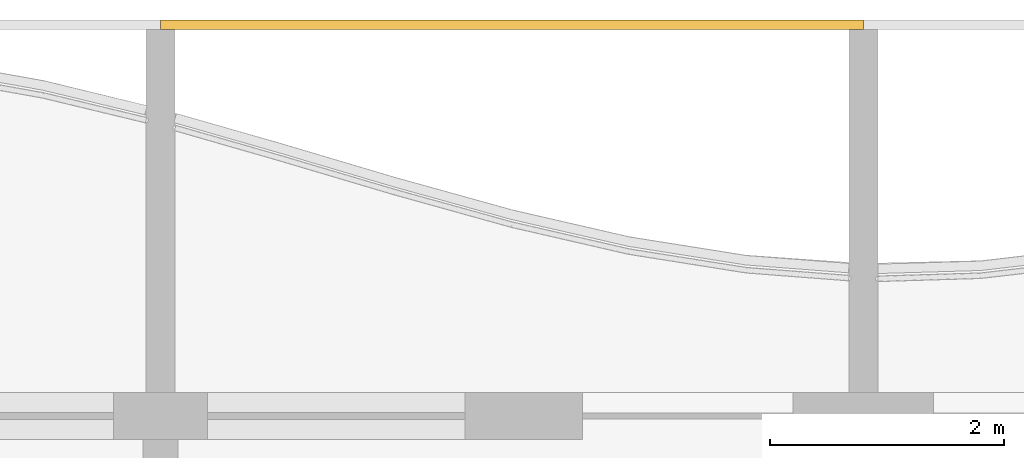
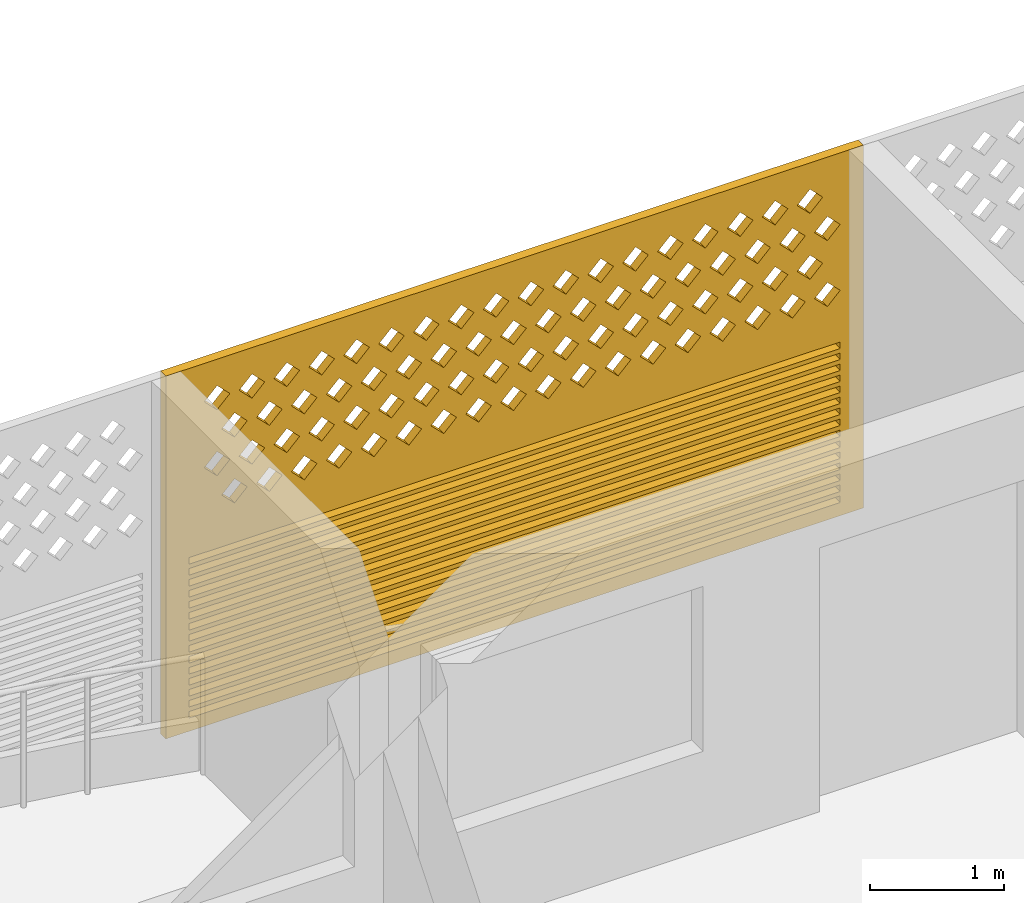
# One storey, part 23 of 33: 1 covering.
"""IFC4 building model written with IfcOpenShell, lengths in metres."""

from ifc_helpers import new_model, si_unit, direction, frame, origin, place, context, subcontext, project, spatial, polyline, outline, extrude, source, transform, mapped, material, material_profile, profile_set, type_object, element, save


model = new_model("IFC4")

# Units and contexts
model_context = context("Model", 3, precision=1e-05, world=origin(), true_north=direction((0.0, 1.0)))
body_context = subcontext(model_context, "Body", "Model", "MODEL_VIEW")
ifc_project = project(units=[si_unit("LENGTHUNIT", "METRE"), si_unit("AREAUNIT", "SQUARE_METRE"), si_unit("VOLUMEUNIT", "CUBIC_METRE"), si_unit("PLANEANGLEUNIT", "RADIAN"), si_unit("MASSUNIT", "GRAM", prefix="KILO")], contexts=[model_context])

# Site, building, storey
site_placement = place(None, origin())
site = spatial("IfcSite", under=ifc_project, at=site_placement, CompositionType="ELEMENT")
building_placement = place(site_placement, origin())
building = spatial("IfcBuilding", under=site, at=building_placement, Name="Poui Terraces", CompositionType="ELEMENT")
storey_placement = place(building_placement, frame((0.0, 0.0, 132.300048828125)))
storey = spatial("IfcBuildingStorey", under=building, at=storey_placement, Name="L36", CompositionType="ELEMENT", Elevation=132.300048828125)

# Covering
ifc_material = material(Name="Terracotta screen", Category="masonry")
ifc_material_profile = material_profile(ifc_material, outline(polyline([(-3.0, -1.64990234375), (3.0, -1.64990234375), (3.0, 1.64990234375), (-3.0, 1.64990234375), (-3.0, -1.64990234375)]), holes=[polyline([(-2.800048828125, 0.39990234375), (-2.68994140625, 0.2900390625), (-2.580078125, 0.39990234375), (-2.68994140625, 0.510009765625), (-2.800048828125, 0.39990234375)]), polyline([(-2.5, 0.39990234375), (-2.389892578125, 0.2900390625), (-2.280029296875, 0.39990234375), (-2.389892578125, 0.510009765625), (-2.5, 0.39990234375)]), polyline([(-2.199951171875, 0.39990234375), (-2.090087890625, 0.2900390625), (-1.97998046875, 0.39990234375), (-2.090087890625, 0.510009765625), (-2.199951171875, 0.39990234375)]), polyline([(-1.89990234375, 0.39990234375), (-1.7900390625, 0.2900390625), (-1.679931640625, 0.39990234375), (-1.7900390625, 0.510009765625), (-1.89990234375, 0.39990234375)]), polyline([(-1.60009765625, 0.39990234375), (-1.489990234375, 0.2900390625), (-1.3798828125, 0.39990234375), (-1.489990234375, 0.510009765625), (-1.60009765625, 0.39990234375)]), polyline([(-1.300048828125, 0.39990234375), (-1.18994140625, 0.2900390625), (-1.080078125, 0.39990234375), (-1.18994140625, 0.510009765625), (-1.300048828125, 0.39990234375)]), polyline([(-1.0, 0.39990234375), (-0.889892578125, 0.2900390625), (-0.780029296875, 0.39990234375), (-0.889892578125, 0.510009765625), (-1.0, 0.39990234375)]), polyline([(-0.699951171875, 0.39990234375), (-0.590087890625, 0.2900390625), (-0.47998046875, 0.39990234375), (-0.590087890625, 0.510009765625), (-0.699951171875, 0.39990234375)]), polyline([(-0.39990234375, 0.39990234375), (-0.2900390625, 0.2900390625), (-0.179931640625, 0.39990234375), (-0.2900390625, 0.510009765625), (-0.39990234375, 0.39990234375)]), polyline([(-0.10009765625, 0.39990234375), (0.010009765625, 0.2900390625), (0.1201171875, 0.39990234375), (0.010009765625, 0.510009765625), (-0.10009765625, 0.39990234375)]), polyline([(0.199951171875, 0.39990234375), (0.31005859375, 0.2900390625), (0.419921875, 0.39990234375), (0.31005859375, 0.510009765625), (0.199951171875, 0.39990234375)]), polyline([(0.5, 0.39990234375), (0.610107421875, 0.2900390625), (0.719970703125, 0.39990234375), (0.610107421875, 0.510009765625), (0.5, 0.39990234375)]), polyline([(0.800048828125, 0.39990234375), (0.909912109375, 0.2900390625), (1.02001953125, 0.39990234375), (0.909912109375, 0.510009765625), (0.800048828125, 0.39990234375)]), polyline([(1.10009765625, 0.39990234375), (1.2099609375, 0.2900390625), (1.320068359375, 0.39990234375), (1.2099609375, 0.510009765625), (1.10009765625, 0.39990234375)]), polyline([(1.39990234375, 0.39990234375), (1.510009765625, 0.2900390625), (1.6201171875, 0.39990234375), (1.510009765625, 0.510009765625), (1.39990234375, 0.39990234375)]), polyline([(1.699951171875, 0.39990234375), (1.81005859375, 0.2900390625), (1.919921875, 0.39990234375), (1.81005859375, 0.510009765625), (1.699951171875, 0.39990234375)]), polyline([(2.0, 0.39990234375), (2.110107421875, 0.2900390625), (2.219970703125, 0.39990234375), (2.110107421875, 0.510009765625), (2.0, 0.39990234375)]), polyline([(2.300048828125, 0.39990234375), (2.409912109375, 0.2900390625), (2.52001953125, 0.39990234375), (2.409912109375, 0.510009765625), (2.300048828125, 0.39990234375)]), polyline([(-2.64990234375, 0.699951171875), (-2.5400390625, 0.590087890625), (-2.429931640625, 0.699951171875), (-2.5400390625, 0.81005859375), (-2.64990234375, 0.699951171875)]), polyline([(-2.35009765625, 0.699951171875), (-2.239990234375, 0.590087890625), (-2.1298828125, 0.699951171875), (-2.239990234375, 0.81005859375), (-2.35009765625, 0.699951171875)]), polyline([(-2.050048828125, 0.699951171875), (-1.93994140625, 0.590087890625), (-1.830078125, 0.699951171875), (-1.93994140625, 0.81005859375), (-2.050048828125, 0.699951171875)]), polyline([(-1.75, 0.699951171875), (-1.639892578125, 0.590087890625), (-1.530029296875, 0.699951171875), (-1.639892578125, 0.81005859375), (-1.75, 0.699951171875)]), polyline([(-1.449951171875, 0.699951171875), (-1.340087890625, 0.590087890625), (-1.22998046875, 0.699951171875), (-1.340087890625, 0.81005859375), (-1.449951171875, 0.699951171875)]), polyline([(-1.14990234375, 0.699951171875), (-1.0400390625, 0.590087890625), (-0.929931640625, 0.699951171875), (-1.0400390625, 0.81005859375), (-1.14990234375, 0.699951171875)]), polyline([(-0.85009765625, 0.699951171875), (-0.739990234375, 0.590087890625), (-0.6298828125, 0.699951171875), (-0.739990234375, 0.81005859375), (-0.85009765625, 0.699951171875)]), polyline([(-0.550048828125, 0.699951171875), (-0.43994140625, 0.590087890625), (-0.330078125, 0.699951171875), (-0.43994140625, 0.81005859375), (-0.550048828125, 0.699951171875)]), polyline([(-0.25, 0.699951171875), (-0.139892578125, 0.590087890625), (-0.030029296875, 0.699951171875), (-0.139892578125, 0.81005859375), (-0.25, 0.699951171875)]), polyline([(0.050048828125, 0.699951171875), (0.159912109375, 0.590087890625), (0.27001953125, 0.699951171875), (0.159912109375, 0.81005859375), (0.050048828125, 0.699951171875)]), polyline([(0.35009765625, 0.699951171875), (0.4599609375, 0.590087890625), (0.570068359375, 0.699951171875), (0.4599609375, 0.81005859375), (0.35009765625, 0.699951171875)]), polyline([(0.64990234375, 0.699951171875), (0.760009765625, 0.590087890625), (0.8701171875, 0.699951171875), (0.760009765625, 0.81005859375), (0.64990234375, 0.699951171875)]), polyline([(0.949951171875, 0.699951171875), (1.06005859375, 0.590087890625), (1.169921875, 0.699951171875), (1.06005859375, 0.81005859375), (0.949951171875, 0.699951171875)]), polyline([(1.25, 0.699951171875), (1.360107421875, 0.590087890625), (1.469970703125, 0.699951171875), (1.360107421875, 0.81005859375), (1.25, 0.699951171875)]), polyline([(1.550048828125, 0.699951171875), (1.659912109375, 0.590087890625), (1.77001953125, 0.699951171875), (1.659912109375, 0.81005859375), (1.550048828125, 0.699951171875)]), polyline([(1.85009765625, 0.699951171875), (1.9599609375, 0.590087890625), (2.070068359375, 0.699951171875), (1.9599609375, 0.81005859375), (1.85009765625, 0.699951171875)]), polyline([(2.14990234375, 0.699951171875), (2.260009765625, 0.590087890625), (2.3701171875, 0.699951171875), (2.260009765625, 0.81005859375), (2.14990234375, 0.699951171875)]), polyline([(2.449951171875, 0.699951171875), (2.56005859375, 0.590087890625), (2.669921875, 0.699951171875), (2.56005859375, 0.81005859375), (2.449951171875, 0.699951171875)]), polyline([(-2.800048828125, 1.0), (-2.68994140625, 0.889892578125), (-2.580078125, 1.0), (-2.68994140625, 1.110107421875), (-2.800048828125, 1.0)]), polyline([(-2.5, 1.0), (-2.389892578125, 0.889892578125), (-2.280029296875, 1.0), (-2.389892578125, 1.110107421875), (-2.5, 1.0)]), polyline([(-2.199951171875, 1.0), (-2.090087890625, 0.889892578125), (-1.97998046875, 1.0), (-2.090087890625, 1.110107421875), (-2.199951171875, 1.0)]), polyline([(-1.89990234375, 1.0), (-1.7900390625, 0.889892578125), (-1.679931640625, 1.0), (-1.7900390625, 1.110107421875), (-1.89990234375, 1.0)]), polyline([(-1.60009765625, 1.0), (-1.489990234375, 0.889892578125), (-1.3798828125, 1.0), (-1.489990234375, 1.110107421875), (-1.60009765625, 1.0)]), polyline([(-1.300048828125, 1.0), (-1.18994140625, 0.889892578125), (-1.080078125, 1.0), (-1.18994140625, 1.110107421875), (-1.300048828125, 1.0)]), polyline([(-1.0, 1.0), (-0.889892578125, 0.889892578125), (-0.780029296875, 1.0), (-0.889892578125, 1.110107421875), (-1.0, 1.0)]), polyline([(-0.699951171875, 1.0), (-0.590087890625, 0.889892578125), (-0.47998046875, 1.0), (-0.590087890625, 1.110107421875), (-0.699951171875, 1.0)]), polyline([(-0.39990234375, 1.0), (-0.2900390625, 0.889892578125), (-0.179931640625, 1.0), (-0.2900390625, 1.110107421875), (-0.39990234375, 1.0)]), polyline([(-0.10009765625, 1.0), (0.010009765625, 0.889892578125), (0.1201171875, 1.0), (0.010009765625, 1.110107421875), (-0.10009765625, 1.0)]), polyline([(0.199951171875, 1.0), (0.31005859375, 0.889892578125), (0.419921875, 1.0), (0.31005859375, 1.110107421875), (0.199951171875, 1.0)]), polyline([(0.5, 1.0), (0.610107421875, 0.889892578125), (0.719970703125, 1.0), (0.610107421875, 1.110107421875), (0.5, 1.0)]), polyline([(0.800048828125, 1.0), (0.909912109375, 0.889892578125), (1.02001953125, 1.0), (0.909912109375, 1.110107421875), (0.800048828125, 1.0)]), polyline([(1.10009765625, 1.0), (1.2099609375, 0.889892578125), (1.320068359375, 1.0), (1.2099609375, 1.110107421875), (1.10009765625, 1.0)]), polyline([(1.39990234375, 1.0), (1.510009765625, 0.889892578125), (1.6201171875, 1.0), (1.510009765625, 1.110107421875), (1.39990234375, 1.0)]), polyline([(1.699951171875, 1.0), (1.81005859375, 0.889892578125), (1.919921875, 1.0), (1.81005859375, 1.110107421875), (1.699951171875, 1.0)]), polyline([(2.0, 1.0), (2.110107421875, 0.889892578125), (2.219970703125, 1.0), (2.110107421875, 1.110107421875), (2.0, 1.0)]), polyline([(2.300048828125, 1.0), (2.409912109375, 0.889892578125), (2.52001953125, 1.0), (2.409912109375, 1.110107421875), (2.300048828125, 1.0)]), polyline([(-2.64990234375, 1.300048828125), (-2.5400390625, 1.18994140625), (-2.429931640625, 1.300048828125), (-2.5400390625, 1.409912109375), (-2.64990234375, 1.300048828125)]), polyline([(-2.35009765625, 1.300048828125), (-2.239990234375, 1.18994140625), (-2.1298828125, 1.300048828125), (-2.239990234375, 1.409912109375), (-2.35009765625, 1.300048828125)]), polyline([(-2.050048828125, 1.300048828125), (-1.93994140625, 1.18994140625), (-1.830078125, 1.300048828125), (-1.93994140625, 1.409912109375), (-2.050048828125, 1.300048828125)]), polyline([(-1.75, 1.300048828125), (-1.639892578125, 1.18994140625), (-1.530029296875, 1.300048828125), (-1.639892578125, 1.409912109375), (-1.75, 1.300048828125)]), polyline([(-1.449951171875, 1.300048828125), (-1.340087890625, 1.18994140625), (-1.22998046875, 1.300048828125), (-1.340087890625, 1.409912109375), (-1.449951171875, 1.300048828125)]), polyline([(-1.14990234375, 1.300048828125), (-1.0400390625, 1.18994140625), (-0.929931640625, 1.300048828125), (-1.0400390625, 1.409912109375), (-1.14990234375, 1.300048828125)]), polyline([(-0.85009765625, 1.300048828125), (-0.739990234375, 1.18994140625), (-0.6298828125, 1.300048828125), (-0.739990234375, 1.409912109375), (-0.85009765625, 1.300048828125)]), polyline([(-0.550048828125, 1.300048828125), (-0.43994140625, 1.18994140625), (-0.330078125, 1.300048828125), (-0.43994140625, 1.409912109375), (-0.550048828125, 1.300048828125)]), polyline([(-0.25, 1.300048828125), (-0.139892578125, 1.18994140625), (-0.030029296875, 1.300048828125), (-0.139892578125, 1.409912109375), (-0.25, 1.300048828125)]), polyline([(0.050048828125, 1.300048828125), (0.159912109375, 1.18994140625), (0.27001953125, 1.300048828125), (0.159912109375, 1.409912109375), (0.050048828125, 1.300048828125)]), polyline([(0.35009765625, 1.300048828125), (0.4599609375, 1.18994140625), (0.570068359375, 1.300048828125), (0.4599609375, 1.409912109375), (0.35009765625, 1.300048828125)]), polyline([(0.64990234375, 1.300048828125), (0.760009765625, 1.18994140625), (0.8701171875, 1.300048828125), (0.760009765625, 1.409912109375), (0.64990234375, 1.300048828125)]), polyline([(0.949951171875, 1.300048828125), (1.06005859375, 1.18994140625), (1.169921875, 1.300048828125), (1.06005859375, 1.409912109375), (0.949951171875, 1.300048828125)]), polyline([(1.25, 1.300048828125), (1.360107421875, 1.18994140625), (1.469970703125, 1.300048828125), (1.360107421875, 1.409912109375), (1.25, 1.300048828125)]), polyline([(1.550048828125, 1.300048828125), (1.659912109375, 1.18994140625), (1.77001953125, 1.300048828125), (1.659912109375, 1.409912109375), (1.550048828125, 1.300048828125)]), polyline([(1.85009765625, 1.300048828125), (1.9599609375, 1.18994140625), (2.070068359375, 1.300048828125), (1.9599609375, 1.409912109375), (1.85009765625, 1.300048828125)]), polyline([(2.14990234375, 1.300048828125), (2.260009765625, 1.18994140625), (2.3701171875, 1.300048828125), (2.260009765625, 1.409912109375), (2.14990234375, 1.300048828125)]), polyline([(2.449951171875, 1.300048828125), (2.56005859375, 1.18994140625), (2.669921875, 1.300048828125), (2.56005859375, 1.409912109375), (2.449951171875, 1.300048828125)]), polyline([(-2.800048828125, -1.530029296875), (2.800048828125, -1.530029296875), (2.800048828125, -1.469970703125), (-2.800048828125, -1.469970703125), (-2.800048828125, -1.530029296875)]), polyline([(-2.800048828125, -1.429931640625), (2.800048828125, -1.429931640625), (2.800048828125, -1.3701171875), (-2.800048828125, -1.3701171875), (-2.800048828125, -1.429931640625)]), polyline([(-2.800048828125, -1.330078125), (2.800048828125, -1.330078125), (2.800048828125, -1.27001953125), (-2.800048828125, -1.27001953125), (-2.800048828125, -1.330078125)]), polyline([(-2.800048828125, -1.22998046875), (2.800048828125, -1.22998046875), (2.800048828125, -1.169921875), (-2.800048828125, -1.169921875), (-2.800048828125, -1.22998046875)]), polyline([(-2.800048828125, -1.1298828125), (2.800048828125, -1.1298828125), (2.800048828125, -1.070068359375), (-2.800048828125, -1.070068359375), (-2.800048828125, -1.1298828125)]), polyline([(-2.800048828125, -1.030029296875), (2.800048828125, -1.030029296875), (2.800048828125, -0.969970703125), (-2.800048828125, -0.969970703125), (-2.800048828125, -1.030029296875)]), polyline([(-2.800048828125, -0.929931640625), (2.800048828125, -0.929931640625), (2.800048828125, -0.8701171875), (-2.800048828125, -0.8701171875), (-2.800048828125, -0.929931640625)]), polyline([(-2.800048828125, -0.830078125), (2.800048828125, -0.830078125), (2.800048828125, -0.77001953125), (-2.800048828125, -0.77001953125), (-2.800048828125, -0.830078125)]), polyline([(-2.800048828125, -0.72998046875), (2.800048828125, -0.72998046875), (2.800048828125, -0.669921875), (-2.800048828125, -0.669921875), (-2.800048828125, -0.72998046875)]), polyline([(-2.800048828125, -0.6298828125), (2.800048828125, -0.6298828125), (2.800048828125, -0.570068359375), (-2.800048828125, -0.570068359375), (-2.800048828125, -0.6298828125)]), polyline([(-2.800048828125, -0.530029296875), (2.800048828125, -0.530029296875), (2.800048828125, -0.469970703125), (-2.800048828125, -0.469970703125), (-2.800048828125, -0.530029296875)]), polyline([(-2.800048828125, -0.429931640625), (2.800048828125, -0.429931640625), (2.800048828125, -0.3701171875), (-2.800048828125, -0.3701171875), (-2.800048828125, -0.429931640625)]), polyline([(-2.800048828125, -0.330078125), (2.800048828125, -0.330078125), (2.800048828125, -0.27001953125), (-2.800048828125, -0.27001953125), (-2.800048828125, -0.330078125)]), polyline([(-2.800048828125, -0.22998046875), (2.800048828125, -0.22998046875), (2.800048828125, -0.169921875), (-2.800048828125, -0.169921875), (-2.800048828125, -0.22998046875)]), polyline([(-2.800048828125, -0.1298828125), (2.800048828125, -0.1298828125), (2.800048828125, -0.070068359375), (-2.800048828125, -0.070068359375), (-2.800048828125, -0.1298828125)])]), Name="TERRACOTTA SCREEN AND JALOUSIE LOUVRE 6000X3300")
ifc_profile_set = profile_set([ifc_material_profile], Name="Terracotta screen")
covering_type = type_object("IfcCoveringType", Name="TERRACOTTA SCREEN AND JALOUSIE LOUVRE 6000X3300", PredefinedType="CLADDING", material=ifc_profile_set)
shared_shape = source(origin(), body_context, "Body", "SweptSolid", [
    extrude(outline(polyline([(-3.0, -1.64990234375), (3.0, -1.64990234375), (3.0, 1.64990234375), (-3.0, 1.64990234375), (-3.0, -1.64990234375)]), holes=[polyline([(-2.800048828125, 0.39990234375), (-2.68994140625, 0.2900390625), (-2.580078125, 0.39990234375), (-2.68994140625, 0.510009765625), (-2.800048828125, 0.39990234375)]), polyline([(-2.5, 0.39990234375), (-2.389892578125, 0.2900390625), (-2.280029296875, 0.39990234375), (-2.389892578125, 0.510009765625), (-2.5, 0.39990234375)]), polyline([(-2.199951171875, 0.39990234375), (-2.090087890625, 0.2900390625), (-1.97998046875, 0.39990234375), (-2.090087890625, 0.510009765625), (-2.199951171875, 0.39990234375)]), polyline([(-1.89990234375, 0.39990234375), (-1.7900390625, 0.2900390625), (-1.679931640625, 0.39990234375), (-1.7900390625, 0.510009765625), (-1.89990234375, 0.39990234375)]), polyline([(-1.60009765625, 0.39990234375), (-1.489990234375, 0.2900390625), (-1.3798828125, 0.39990234375), (-1.489990234375, 0.510009765625), (-1.60009765625, 0.39990234375)]), polyline([(-1.300048828125, 0.39990234375), (-1.18994140625, 0.2900390625), (-1.080078125, 0.39990234375), (-1.18994140625, 0.510009765625), (-1.300048828125, 0.39990234375)]), polyline([(-1.0, 0.39990234375), (-0.889892578125, 0.2900390625), (-0.780029296875, 0.39990234375), (-0.889892578125, 0.510009765625), (-1.0, 0.39990234375)]), polyline([(-0.699951171875, 0.39990234375), (-0.590087890625, 0.2900390625), (-0.47998046875, 0.39990234375), (-0.590087890625, 0.510009765625), (-0.699951171875, 0.39990234375)]), polyline([(-0.39990234375, 0.39990234375), (-0.2900390625, 0.2900390625), (-0.179931640625, 0.39990234375), (-0.2900390625, 0.510009765625), (-0.39990234375, 0.39990234375)]), polyline([(-0.10009765625, 0.39990234375), (0.010009765625, 0.2900390625), (0.1201171875, 0.39990234375), (0.010009765625, 0.510009765625), (-0.10009765625, 0.39990234375)]), polyline([(0.199951171875, 0.39990234375), (0.31005859375, 0.2900390625), (0.419921875, 0.39990234375), (0.31005859375, 0.510009765625), (0.199951171875, 0.39990234375)]), polyline([(0.5, 0.39990234375), (0.610107421875, 0.2900390625), (0.719970703125, 0.39990234375), (0.610107421875, 0.510009765625), (0.5, 0.39990234375)]), polyline([(0.800048828125, 0.39990234375), (0.909912109375, 0.2900390625), (1.02001953125, 0.39990234375), (0.909912109375, 0.510009765625), (0.800048828125, 0.39990234375)]), polyline([(1.10009765625, 0.39990234375), (1.2099609375, 0.2900390625), (1.320068359375, 0.39990234375), (1.2099609375, 0.510009765625), (1.10009765625, 0.39990234375)]), polyline([(1.39990234375, 0.39990234375), (1.510009765625, 0.2900390625), (1.6201171875, 0.39990234375), (1.510009765625, 0.510009765625), (1.39990234375, 0.39990234375)]), polyline([(1.699951171875, 0.39990234375), (1.81005859375, 0.2900390625), (1.919921875, 0.39990234375), (1.81005859375, 0.510009765625), (1.699951171875, 0.39990234375)]), polyline([(2.0, 0.39990234375), (2.110107421875, 0.2900390625), (2.219970703125, 0.39990234375), (2.110107421875, 0.510009765625), (2.0, 0.39990234375)]), polyline([(2.300048828125, 0.39990234375), (2.409912109375, 0.2900390625), (2.52001953125, 0.39990234375), (2.409912109375, 0.510009765625), (2.300048828125, 0.39990234375)]), polyline([(-2.64990234375, 0.699951171875), (-2.5400390625, 0.590087890625), (-2.429931640625, 0.699951171875), (-2.5400390625, 0.81005859375), (-2.64990234375, 0.699951171875)]), polyline([(-2.35009765625, 0.699951171875), (-2.239990234375, 0.590087890625), (-2.1298828125, 0.699951171875), (-2.239990234375, 0.81005859375), (-2.35009765625, 0.699951171875)]), polyline([(-2.050048828125, 0.699951171875), (-1.93994140625, 0.590087890625), (-1.830078125, 0.699951171875), (-1.93994140625, 0.81005859375), (-2.050048828125, 0.699951171875)]), polyline([(-1.75, 0.699951171875), (-1.639892578125, 0.590087890625), (-1.530029296875, 0.699951171875), (-1.639892578125, 0.81005859375), (-1.75, 0.699951171875)]), polyline([(-1.449951171875, 0.699951171875), (-1.340087890625, 0.590087890625), (-1.22998046875, 0.699951171875), (-1.340087890625, 0.81005859375), (-1.449951171875, 0.699951171875)]), polyline([(-1.14990234375, 0.699951171875), (-1.0400390625, 0.590087890625), (-0.929931640625, 0.699951171875), (-1.0400390625, 0.81005859375), (-1.14990234375, 0.699951171875)]), polyline([(-0.85009765625, 0.699951171875), (-0.739990234375, 0.590087890625), (-0.6298828125, 0.699951171875), (-0.739990234375, 0.81005859375), (-0.85009765625, 0.699951171875)]), polyline([(-0.550048828125, 0.699951171875), (-0.43994140625, 0.590087890625), (-0.330078125, 0.699951171875), (-0.43994140625, 0.81005859375), (-0.550048828125, 0.699951171875)]), polyline([(-0.25, 0.699951171875), (-0.139892578125, 0.590087890625), (-0.030029296875, 0.699951171875), (-0.139892578125, 0.81005859375), (-0.25, 0.699951171875)]), polyline([(0.050048828125, 0.699951171875), (0.159912109375, 0.590087890625), (0.27001953125, 0.699951171875), (0.159912109375, 0.81005859375), (0.050048828125, 0.699951171875)]), polyline([(0.35009765625, 0.699951171875), (0.4599609375, 0.590087890625), (0.570068359375, 0.699951171875), (0.4599609375, 0.81005859375), (0.35009765625, 0.699951171875)]), polyline([(0.64990234375, 0.699951171875), (0.760009765625, 0.590087890625), (0.8701171875, 0.699951171875), (0.760009765625, 0.81005859375), (0.64990234375, 0.699951171875)]), polyline([(0.949951171875, 0.699951171875), (1.06005859375, 0.590087890625), (1.169921875, 0.699951171875), (1.06005859375, 0.81005859375), (0.949951171875, 0.699951171875)]), polyline([(1.25, 0.699951171875), (1.360107421875, 0.590087890625), (1.469970703125, 0.699951171875), (1.360107421875, 0.81005859375), (1.25, 0.699951171875)]), polyline([(1.550048828125, 0.699951171875), (1.659912109375, 0.590087890625), (1.77001953125, 0.699951171875), (1.659912109375, 0.81005859375), (1.550048828125, 0.699951171875)]), polyline([(1.85009765625, 0.699951171875), (1.9599609375, 0.590087890625), (2.070068359375, 0.699951171875), (1.9599609375, 0.81005859375), (1.85009765625, 0.699951171875)]), polyline([(2.14990234375, 0.699951171875), (2.260009765625, 0.590087890625), (2.3701171875, 0.699951171875), (2.260009765625, 0.81005859375), (2.14990234375, 0.699951171875)]), polyline([(2.449951171875, 0.699951171875), (2.56005859375, 0.590087890625), (2.669921875, 0.699951171875), (2.56005859375, 0.81005859375), (2.449951171875, 0.699951171875)]), polyline([(-2.800048828125, 1.0), (-2.68994140625, 0.889892578125), (-2.580078125, 1.0), (-2.68994140625, 1.110107421875), (-2.800048828125, 1.0)]), polyline([(-2.5, 1.0), (-2.389892578125, 0.889892578125), (-2.280029296875, 1.0), (-2.389892578125, 1.110107421875), (-2.5, 1.0)]), polyline([(-2.199951171875, 1.0), (-2.090087890625, 0.889892578125), (-1.97998046875, 1.0), (-2.090087890625, 1.110107421875), (-2.199951171875, 1.0)]), polyline([(-1.89990234375, 1.0), (-1.7900390625, 0.889892578125), (-1.679931640625, 1.0), (-1.7900390625, 1.110107421875), (-1.89990234375, 1.0)]), polyline([(-1.60009765625, 1.0), (-1.489990234375, 0.889892578125), (-1.3798828125, 1.0), (-1.489990234375, 1.110107421875), (-1.60009765625, 1.0)]), polyline([(-1.300048828125, 1.0), (-1.18994140625, 0.889892578125), (-1.080078125, 1.0), (-1.18994140625, 1.110107421875), (-1.300048828125, 1.0)]), polyline([(-1.0, 1.0), (-0.889892578125, 0.889892578125), (-0.780029296875, 1.0), (-0.889892578125, 1.110107421875), (-1.0, 1.0)]), polyline([(-0.699951171875, 1.0), (-0.590087890625, 0.889892578125), (-0.47998046875, 1.0), (-0.590087890625, 1.110107421875), (-0.699951171875, 1.0)]), polyline([(-0.39990234375, 1.0), (-0.2900390625, 0.889892578125), (-0.179931640625, 1.0), (-0.2900390625, 1.110107421875), (-0.39990234375, 1.0)]), polyline([(-0.10009765625, 1.0), (0.010009765625, 0.889892578125), (0.1201171875, 1.0), (0.010009765625, 1.110107421875), (-0.10009765625, 1.0)]), polyline([(0.199951171875, 1.0), (0.31005859375, 0.889892578125), (0.419921875, 1.0), (0.31005859375, 1.110107421875), (0.199951171875, 1.0)]), polyline([(0.5, 1.0), (0.610107421875, 0.889892578125), (0.719970703125, 1.0), (0.610107421875, 1.110107421875), (0.5, 1.0)]), polyline([(0.800048828125, 1.0), (0.909912109375, 0.889892578125), (1.02001953125, 1.0), (0.909912109375, 1.110107421875), (0.800048828125, 1.0)]), polyline([(1.10009765625, 1.0), (1.2099609375, 0.889892578125), (1.320068359375, 1.0), (1.2099609375, 1.110107421875), (1.10009765625, 1.0)]), polyline([(1.39990234375, 1.0), (1.510009765625, 0.889892578125), (1.6201171875, 1.0), (1.510009765625, 1.110107421875), (1.39990234375, 1.0)]), polyline([(1.699951171875, 1.0), (1.81005859375, 0.889892578125), (1.919921875, 1.0), (1.81005859375, 1.110107421875), (1.699951171875, 1.0)]), polyline([(2.0, 1.0), (2.110107421875, 0.889892578125), (2.219970703125, 1.0), (2.110107421875, 1.110107421875), (2.0, 1.0)]), polyline([(2.300048828125, 1.0), (2.409912109375, 0.889892578125), (2.52001953125, 1.0), (2.409912109375, 1.110107421875), (2.300048828125, 1.0)]), polyline([(-2.64990234375, 1.300048828125), (-2.5400390625, 1.18994140625), (-2.429931640625, 1.300048828125), (-2.5400390625, 1.409912109375), (-2.64990234375, 1.300048828125)]), polyline([(-2.35009765625, 1.300048828125), (-2.239990234375, 1.18994140625), (-2.1298828125, 1.300048828125), (-2.239990234375, 1.409912109375), (-2.35009765625, 1.300048828125)]), polyline([(-2.050048828125, 1.300048828125), (-1.93994140625, 1.18994140625), (-1.830078125, 1.300048828125), (-1.93994140625, 1.409912109375), (-2.050048828125, 1.300048828125)]), polyline([(-1.75, 1.300048828125), (-1.639892578125, 1.18994140625), (-1.530029296875, 1.300048828125), (-1.639892578125, 1.409912109375), (-1.75, 1.300048828125)]), polyline([(-1.449951171875, 1.300048828125), (-1.340087890625, 1.18994140625), (-1.22998046875, 1.300048828125), (-1.340087890625, 1.409912109375), (-1.449951171875, 1.300048828125)]), polyline([(-1.14990234375, 1.300048828125), (-1.0400390625, 1.18994140625), (-0.929931640625, 1.300048828125), (-1.0400390625, 1.409912109375), (-1.14990234375, 1.300048828125)]), polyline([(-0.85009765625, 1.300048828125), (-0.739990234375, 1.18994140625), (-0.6298828125, 1.300048828125), (-0.739990234375, 1.409912109375), (-0.85009765625, 1.300048828125)]), polyline([(-0.550048828125, 1.300048828125), (-0.43994140625, 1.18994140625), (-0.330078125, 1.300048828125), (-0.43994140625, 1.409912109375), (-0.550048828125, 1.300048828125)]), polyline([(-0.25, 1.300048828125), (-0.139892578125, 1.18994140625), (-0.030029296875, 1.300048828125), (-0.139892578125, 1.409912109375), (-0.25, 1.300048828125)]), polyline([(0.050048828125, 1.300048828125), (0.159912109375, 1.18994140625), (0.27001953125, 1.300048828125), (0.159912109375, 1.409912109375), (0.050048828125, 1.300048828125)]), polyline([(0.35009765625, 1.300048828125), (0.4599609375, 1.18994140625), (0.570068359375, 1.300048828125), (0.4599609375, 1.409912109375), (0.35009765625, 1.300048828125)]), polyline([(0.64990234375, 1.300048828125), (0.760009765625, 1.18994140625), (0.8701171875, 1.300048828125), (0.760009765625, 1.409912109375), (0.64990234375, 1.300048828125)]), polyline([(0.949951171875, 1.300048828125), (1.06005859375, 1.18994140625), (1.169921875, 1.300048828125), (1.06005859375, 1.409912109375), (0.949951171875, 1.300048828125)]), polyline([(1.25, 1.300048828125), (1.360107421875, 1.18994140625), (1.469970703125, 1.300048828125), (1.360107421875, 1.409912109375), (1.25, 1.300048828125)]), polyline([(1.550048828125, 1.300048828125), (1.659912109375, 1.18994140625), (1.77001953125, 1.300048828125), (1.659912109375, 1.409912109375), (1.550048828125, 1.300048828125)]), polyline([(1.85009765625, 1.300048828125), (1.9599609375, 1.18994140625), (2.070068359375, 1.300048828125), (1.9599609375, 1.409912109375), (1.85009765625, 1.300048828125)]), polyline([(2.14990234375, 1.300048828125), (2.260009765625, 1.18994140625), (2.3701171875, 1.300048828125), (2.260009765625, 1.409912109375), (2.14990234375, 1.300048828125)]), polyline([(2.449951171875, 1.300048828125), (2.56005859375, 1.18994140625), (2.669921875, 1.300048828125), (2.56005859375, 1.409912109375), (2.449951171875, 1.300048828125)]), polyline([(-2.800048828125, -1.530029296875), (2.800048828125, -1.530029296875), (2.800048828125, -1.469970703125), (-2.800048828125, -1.469970703125), (-2.800048828125, -1.530029296875)]), polyline([(-2.800048828125, -1.429931640625), (2.800048828125, -1.429931640625), (2.800048828125, -1.3701171875), (-2.800048828125, -1.3701171875), (-2.800048828125, -1.429931640625)]), polyline([(-2.800048828125, -1.330078125), (2.800048828125, -1.330078125), (2.800048828125, -1.27001953125), (-2.800048828125, -1.27001953125), (-2.800048828125, -1.330078125)]), polyline([(-2.800048828125, -1.22998046875), (2.800048828125, -1.22998046875), (2.800048828125, -1.169921875), (-2.800048828125, -1.169921875), (-2.800048828125, -1.22998046875)]), polyline([(-2.800048828125, -1.1298828125), (2.800048828125, -1.1298828125), (2.800048828125, -1.070068359375), (-2.800048828125, -1.070068359375), (-2.800048828125, -1.1298828125)]), polyline([(-2.800048828125, -1.030029296875), (2.800048828125, -1.030029296875), (2.800048828125, -0.969970703125), (-2.800048828125, -0.969970703125), (-2.800048828125, -1.030029296875)]), polyline([(-2.800048828125, -0.929931640625), (2.800048828125, -0.929931640625), (2.800048828125, -0.8701171875), (-2.800048828125, -0.8701171875), (-2.800048828125, -0.929931640625)]), polyline([(-2.800048828125, -0.830078125), (2.800048828125, -0.830078125), (2.800048828125, -0.77001953125), (-2.800048828125, -0.77001953125), (-2.800048828125, -0.830078125)]), polyline([(-2.800048828125, -0.72998046875), (2.800048828125, -0.72998046875), (2.800048828125, -0.669921875), (-2.800048828125, -0.669921875), (-2.800048828125, -0.72998046875)]), polyline([(-2.800048828125, -0.6298828125), (2.800048828125, -0.6298828125), (2.800048828125, -0.570068359375), (-2.800048828125, -0.570068359375), (-2.800048828125, -0.6298828125)]), polyline([(-2.800048828125, -0.530029296875), (2.800048828125, -0.530029296875), (2.800048828125, -0.469970703125), (-2.800048828125, -0.469970703125), (-2.800048828125, -0.530029296875)]), polyline([(-2.800048828125, -0.429931640625), (2.800048828125, -0.429931640625), (2.800048828125, -0.3701171875), (-2.800048828125, -0.3701171875), (-2.800048828125, -0.429931640625)]), polyline([(-2.800048828125, -0.330078125), (2.800048828125, -0.330078125), (2.800048828125, -0.27001953125), (-2.800048828125, -0.27001953125), (-2.800048828125, -0.330078125)]), polyline([(-2.800048828125, -0.22998046875), (2.800048828125, -0.22998046875), (2.800048828125, -0.169921875), (-2.800048828125, -0.169921875), (-2.800048828125, -0.22998046875)]), polyline([(-2.800048828125, -0.1298828125), (2.800048828125, -0.1298828125), (2.800048828125, -0.070068359375), (-2.800048828125, -0.070068359375), (-2.800048828125, -0.1298828125)])]), origin(), (0.0, 0.0, 1.0), 0.080078125),
])
covering_placement = place(storey_placement, frame((39.0, 45.699951171875, 1.449951171875), z_axis=(0.0, 1.0, 0.0), x_axis=(-1.0, 0.0, 0.0)))
element("IfcCovering", 1, at=covering_placement, inside=storey, type_object=covering_type, Name="SOLAR SCREEN AND JALOUSIE LOUVRE", PredefinedType="CLADDING", context=body_context, shape_type="MappedRepresentation", body=[
    mapped(shared_shape, transform((0.0, 0.0, 0.0))),
])

save(model, "model.ifc")
